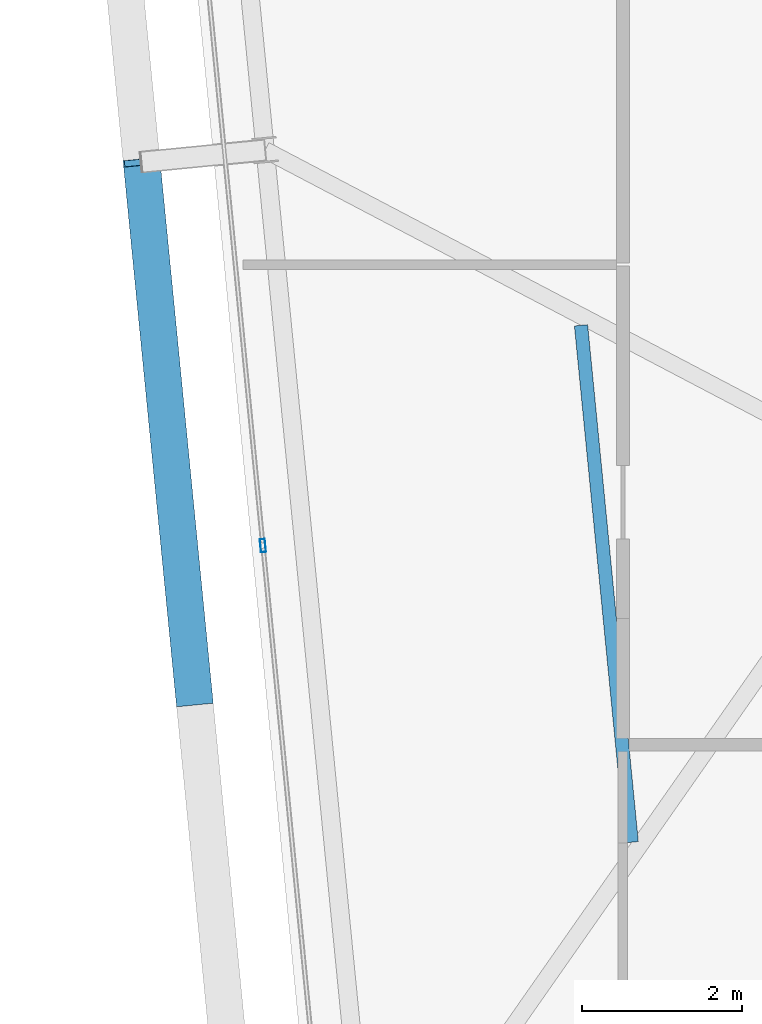
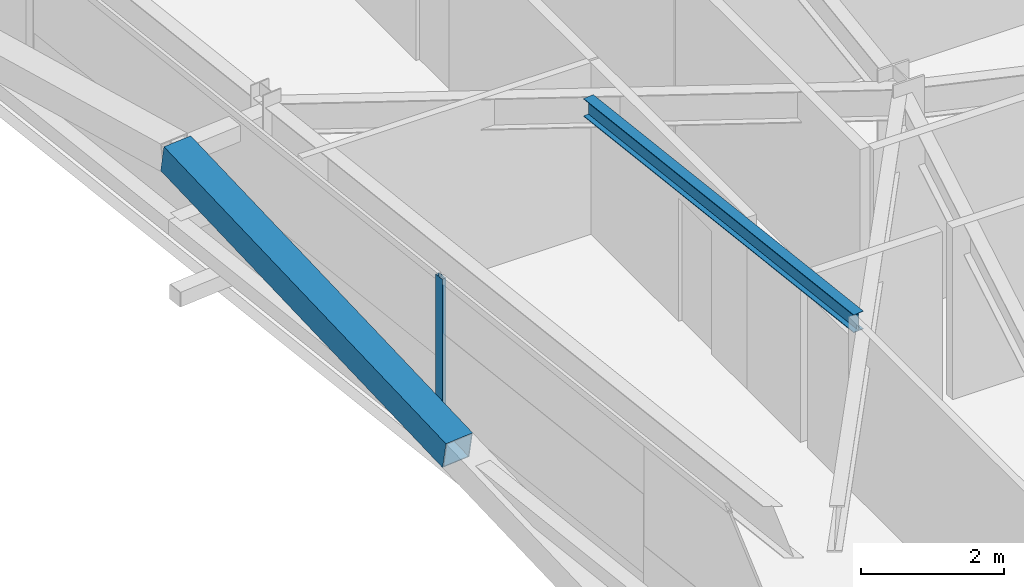
# One storey, part 7 of 47: 2 members, 1 beam, 1 element without a shape of its own.
"""IFC4 building model written with IfcOpenShell, lengths in metres."""

from ifc_helpers import new_model, si_unit, direction, frame, origin, origin_2d, place, context, subcontext, project, spatial, hollow_rectangle, i_section, extrude, source, transform, mapped, material, layer, layer_set, material_profile, profile_set, type_object, element, aggregate, save


model = new_model("IFC4")

# Units and contexts
model_context = context("Model", 3, precision=1e-05, world=origin(), true_north=direction((0.0, 1.0)))
body_context = subcontext(model_context, "Body", "Model", "MODEL_VIEW")
ifc_project = project(units=[si_unit("LENGTHUNIT", "METRE"), si_unit("AREAUNIT", "SQUARE_METRE"), si_unit("VOLUMEUNIT", "CUBIC_METRE"), si_unit("PLANEANGLEUNIT", "RADIAN"), si_unit("MASSUNIT", "GRAM", prefix="KILO")], contexts=[model_context])

# Site, building, storey
site_placement = place(None, origin())
site = spatial("IfcSite", under=ifc_project, at=site_placement, CompositionType="ELEMENT")
building_placement = place(site_placement, origin())
building = spatial("IfcBuilding", under=site, at=building_placement, Name="Taldren Reach Tower", CompositionType="ELEMENT")
storey_placement = place(building_placement, frame((0.0, 0.0, 87.14990234375)))
storey = spatial("IfcBuildingStorey", under=building, at=storey_placement, Name="L26", CompositionType="ELEMENT", Elevation=87.14990234375)

# Beam
ifc_material_1 = material(Name="Steel Gr 300 (300PLUS, 300 MPa)", Category="steel")
ifc_material_profile_1 = material_profile(ifc_material_1, i_section(OverallWidth=0.166015625, OverallDepth=0.306884765625, WebThickness=0.006591796875, FlangeThickness=0.01171875, at=origin_2d()), Name="310UB46.2")
ifc_profile_set_1 = profile_set([ifc_material_profile_1], Name="Steel Gr 300 (300PLUS, 300 MPa)")
beam_type = type_object("IfcBeamType", Name="JS-UB310", PredefinedType="JOIST", material=ifc_profile_set_1)
shared_shape_1 = source(origin(), body_context, "Body", "SweptSolid", [
    extrude(i_section(OverallWidth=0.166015625, OverallDepth=0.306884765625, WebThickness=0.006591796875, FlangeThickness=0.01171875, at=origin_2d()), origin(), (0.0, 0.0, 1.0), 6.489501953125),
])
beam_placement = place(storey_placement, frame((14.710693359375, 7.982666015625, 2.776611328125), z_axis=(-0.097588959486, 0.995226805802, 0.0), x_axis=(-0.995226805802, -0.097588959486, 0.0)))
element("IfcBeam", 1, at=beam_placement, inside=storey, type_object=beam_type, Name="Secondary floor joist B2 J6 L26", PredefinedType="JOIST", context=body_context, shape_type="MappedRepresentation", body=[
    mapped(shared_shape_1, transform((0.0, 0.0, 0.0), scale=1.0)),
])

# Member
ifc_material_2 = material(Name="Steel Gr 450 (C450L0)", Category="steel")
ifc_material_profile_2 = material_profile(ifc_material_2, hollow_rectangle(XDim=0.4599609375, YDim=0.4599609375, WallThickness=0.01611328125, at=origin_2d()), Name="460x460x16.0SHS")
ifc_profile_set_2 = profile_set([ifc_material_profile_2], Name="Steel Gr 450 (C450L0)")
member_type_1 = type_object("IfcMemberType", Name="MB-EXO457", PredefinedType="BRACE", material=ifc_profile_set_2)
shared_shape_2 = source(origin(), body_context, "Body", "SweptSolid", [
    extrude(hollow_rectangle(XDim=0.4599609375, YDim=0.4599609375, WallThickness=0.01611328125, at=origin_2d()), origin(), (0.0, 0.0, 1.0), 6.8828125),
])
member_1_placement = place(storey_placement, frame((9.2490234375, 9.7373046875, 1.43505859375), z_axis=(-0.096054795712, 0.979595750804, 0.17653793141), x_axis=(-0.995226946838, -0.097587521166, 0.0)))
element("IfcMember", 2, at=member_1_placement, inside=storey, type_object=member_type_1, Name="Exoskeleton Diagrid Brace B2-W1 L26", PredefinedType="BRACE", context=body_context, shape_type="MappedRepresentation", body=[
    mapped(shared_shape_2, transform((0.0, 0.0, 0.0), scale=1.0)),
])

# Curtain wall, member
ifc_material_3 = material(Name="Aluminium and Low-E Glass Unitised System", Category="aluminium")
ifc_layer = layer(ifc_material_3, 0.159912109375)
ifc_layer_set = layer_set([ifc_layer], Name="Aluminium and Low-E Glass Unitised System")
curtain_wall_type = type_object("IfcCurtainWallType", Name="CW-SYS-3", PredefinedType="NOTDEFINED", material=ifc_layer_set)
curtain_wall_placement = place(storey_placement, origin())
curtain_wall = element("IfcCurtainWall", 3, at=curtain_wall_placement, inside=storey, type_object=curtain_wall_type, Name="Unitised curtain wall CW-L26-W", PredefinedType="NOTDEFINED")
ifc_material_4 = material(Name="Anodised Aluminium 6063-T6", Category="aluminium")
ifc_material_profile_3 = material_profile(ifc_material_4, hollow_rectangle(XDim=0.06494140625, YDim=0.1650390625, WallThickness=0.00390625, at=origin_2d()), Name="ALU-165x65x4RHS")
ifc_profile_set_3 = profile_set([ifc_material_profile_3], Name="Anodised Aluminium 6063-T6")
member_type_2 = type_object("IfcMemberType", Name="CW-MUL-165", PredefinedType="MULLION", material=ifc_profile_set_3)
shared_shape_3 = source(origin(), body_context, "Body", "SweptSolid", [
    extrude(hollow_rectangle(XDim=0.06494140625, YDim=0.1650390625, WallThickness=0.00390625, at=origin_2d()), origin(), (0.0, 0.0, 1.0), 2.93017578125),
])
member_2_placement = place(storey_placement, frame((10.102783203125, 11.688232421875, 0.0), z_axis=(0.0, 0.0, 1.0), x_axis=(0.99522741555, 0.09758274098, 0.0)))
member_2 = element("IfcMember", 4, at=member_2_placement, type_object=member_type_2, Name="CW-3 mullion 3", PredefinedType="MULLION", context=body_context, shape_type="MappedRepresentation", body=[
    mapped(shared_shape_3, transform((0.0, 0.0, 0.0), scale=1.0)),
])
aggregate(curtain_wall, [member_2])

save(model, "model.ifc")
